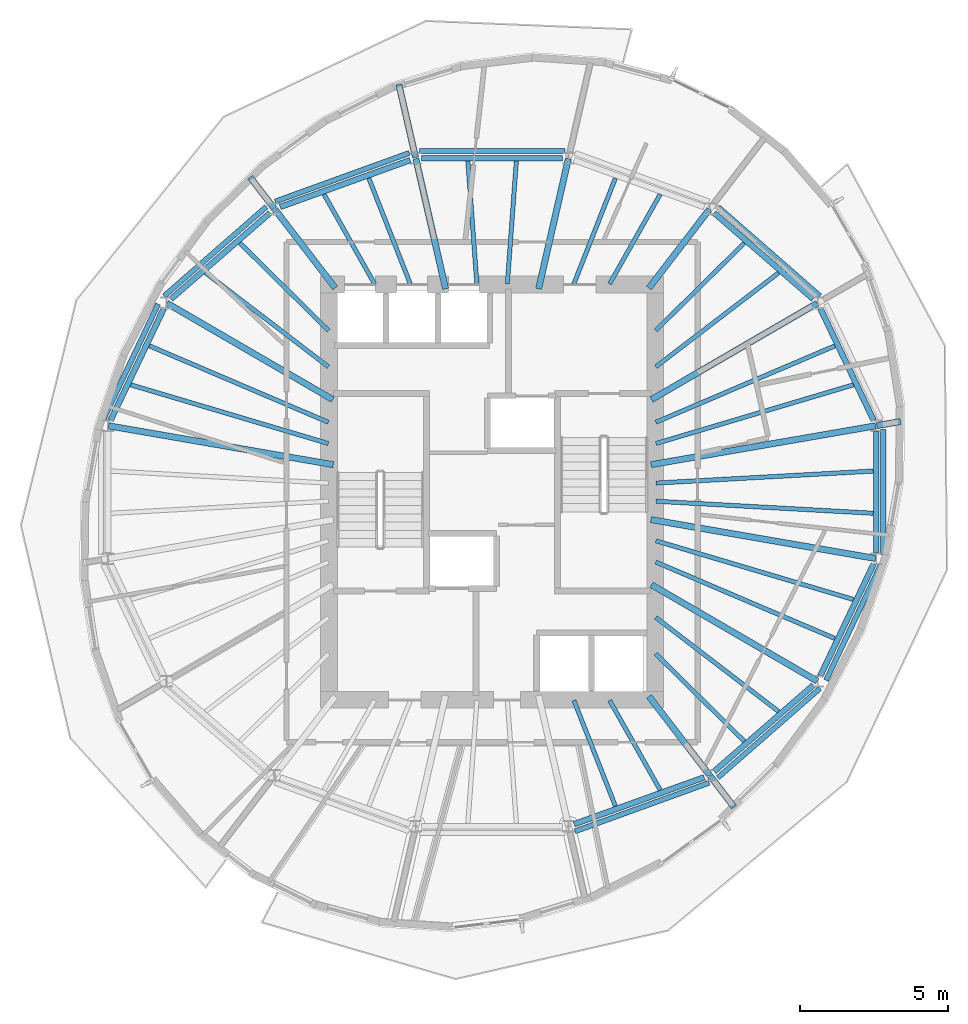
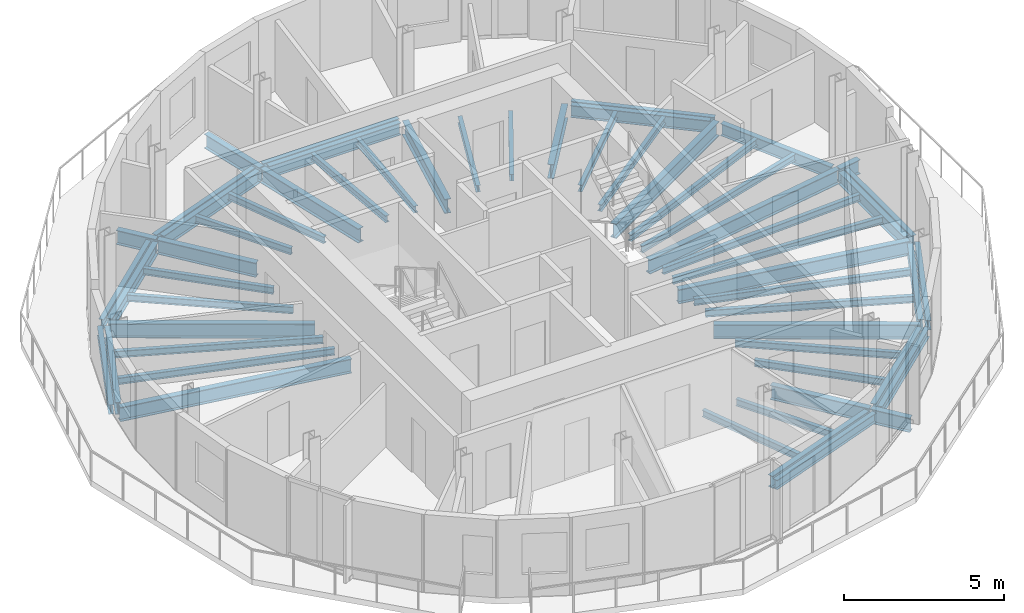
# One storey, part 2 of 9: 56 beams.
"""IFC4 building model written with IfcOpenShell, lengths in metres."""

from ifc_helpers import new_model, si_unit, direction, frame, origin, origin_2d, place, context, subcontext, project, spatial, i_section, extrude, material, material_profile, profile_set, type_object, element, save


model = new_model("IFC4")

# Units and contexts
model_context = context("Model", 3, precision=1e-05, world=origin(), true_north=direction((0.0, 1.0)))
body_context = subcontext(model_context, "Body", "Model", "MODEL_VIEW")
ifc_project = project(units=[si_unit("LENGTHUNIT", "METRE"), si_unit("AREAUNIT", "SQUARE_METRE"), si_unit("VOLUMEUNIT", "CUBIC_METRE"), si_unit("PLANEANGLEUNIT", "RADIAN"), si_unit("MASSUNIT", "GRAM", prefix="KILO")], contexts=[model_context])

# Site, building, storey
site_placement = place(None, origin())
site = spatial("IfcSite", under=ifc_project, at=site_placement, CompositionType="ELEMENT")
building_placement = place(site_placement, origin())
building = spatial("IfcBuilding", under=site, at=building_placement, Name="Veldorim Arch Residences", CompositionType="ELEMENT")
storey_placement = place(building_placement, frame((0.0, 0.0, 230.239990234375)))
storey = spatial("IfcBuildingStorey", under=building, at=storey_placement, Name="L69", CompositionType="ELEMENT", Elevation=230.239990234375)

# Beams
ifc_material_1 = material(Name="Steel S355", Category="steel")
ifc_material_profile_1 = material_profile(ifc_material_1, i_section(OverallWidth=0.2119140625, OverallDepth=0.54443359375, WebThickness=0.0126953125, FlangeThickness=0.021240234375, at=origin_2d()), Name="UB533x210x122")
ifc_profile_set_1 = profile_set([ifc_material_profile_1], Name="Steel S355")
beam_type_1 = type_object("IfcBeamType", Name="Structural Steel Beam UB533x210x122", PredefinedType="BEAM", material=ifc_profile_set_1)
beam_1_placement = place(storey_placement, frame((37.352294921875, 24.92578125, -0.51220703125), z_axis=(0.985364974081, 0.170457818401, 0.0), x_axis=(-0.170457818401, 0.985364974081, 0.0)))
element("IfcBeam", 1, at=beam_1_placement, inside=storey, type_object=beam_type_1, Name="L69 radial floor girder 01", PredefinedType="BEAM", context=body_context, shape_type="SweptSolid", body=[
    extrude(i_section(OverallWidth=0.2119140625, OverallDepth=0.54443359375, WebThickness=0.0126953125, FlangeThickness=0.021240234375, at=origin_2d()), origin(), (0.0, 0.0, 1.0), 7.68701171875),
])
beam_2_placement = place(storey_placement, frame((44.966064453125, 26.242919921875, -0.51220703125), z_axis=(0.985345661769, 0.170569419394, 0.0), x_axis=(-0.170569419394, 0.985345661769, 0.0)))
element("IfcBeam", 2, at=beam_2_placement, inside=storey, type_object=beam_type_1, Name="L69 radial edge cantilever girder 01", PredefinedType="BEAM", context=body_context, shape_type="SweptSolid", body=[
    extrude(i_section(OverallWidth=0.2119140625, OverallDepth=0.54443359375, WebThickness=0.0126953125, FlangeThickness=0.021240234375, at=origin_2d()), origin(), (0.0, 0.0, 1.0), 0.814453125),
])
beam_3_placement = place(storey_placement, frame((37.370361328125, 27.12060546875, -0.51220703125), z_axis=(0.864595736304, 0.502468121142, 0.0), x_axis=(-0.502468121142, 0.864595736304, 0.0)))
element("IfcBeam", 3, at=beam_3_placement, inside=storey, type_object=beam_type_1, Name="L69 radial floor girder 02", PredefinedType="BEAM", context=body_context, shape_type="SweptSolid", body=[
    extrude(i_section(OverallWidth=0.2119140625, OverallDepth=0.54443359375, WebThickness=0.0126953125, FlangeThickness=0.021240234375, at=origin_2d()), origin(), (0.0, 0.0, 1.0), 6.462646484375),
])
beam_4_placement = place(storey_placement, frame((37.28662109375, 30.881103515625, -0.51220703125), z_axis=(0.609258442308, 0.792971721108, 0.0), x_axis=(-0.792971721108, 0.609258442308, 0.0)))
element("IfcBeam", 4, at=beam_4_placement, inside=storey, type_object=beam_type_1, Name="L69 radial floor girder 03", PredefinedType="BEAM", context=body_context, shape_type="SweptSolid", body=[
    extrude(i_section(OverallWidth=0.2119140625, OverallDepth=0.54443359375, WebThickness=0.0126953125, FlangeThickness=0.021240234375, at=origin_2d()), origin(), (0.0, 0.0, 1.0), 3.339599609375),
])
for number, where, z_axis, x_axis, name in (
    (5, (33.567626953125, 30.853759765625, -0.51220703125), (0.222952976993, 0.97482920045, 0.0), (-0.97482920045, 0.222952976993, 0.0), "L69 radial floor girder 04"),
    (6, (30.432373046875, 30.853759765625, -0.51220703125), (-0.222952976993, 0.97482920045, 0.0), (-0.97482920045, -0.222952976993, 0.0), "L69 radial floor girder 05"),
):
    element("IfcBeam", number, at=place(storey_placement, frame(where, z_axis=z_axis, x_axis=x_axis)), inside=storey, type_object=beam_type_1, Name=name, PredefinedType="BEAM", context=body_context, shape_type="SweptSolid", body=[
        extrude(i_section(OverallWidth=0.2119140625, OverallDepth=0.54443359375, WebThickness=0.0126953125, FlangeThickness=0.021240234375, at=origin_2d()), origin(), (0.0, 0.0, 1.0), 4.49951171875),
    ])
beam_5_placement = place(storey_placement, frame((29.42041015625, 35.27880859375, -0.51220703125), z_axis=(-0.222961198563, 0.97482732006, 0.0), x_axis=(-0.97482732006, -0.222961198563, 0.0)))
element("IfcBeam", 7, at=beam_5_placement, inside=storey, type_object=beam_type_1, Name="L69 radial edge cantilever girder 05", PredefinedType="BEAM", context=body_context, shape_type="SweptSolid", body=[
    extrude(i_section(OverallWidth=0.2119140625, OverallDepth=0.54443359375, WebThickness=0.0126953125, FlangeThickness=0.021240234375, at=origin_2d()), origin(), (0.0, 0.0, 1.0), 2.52734375),
])
beam_6_placement = place(storey_placement, frame((26.71337890625, 30.881103515625, -0.51220703125), z_axis=(-0.609258442308, 0.792971721108, 0.0), x_axis=(-0.792971721108, -0.609258442308, 0.0)))
element("IfcBeam", 8, at=beam_6_placement, inside=storey, type_object=beam_type_1, Name="L69 radial floor girder 06", PredefinedType="BEAM", context=body_context, shape_type="SweptSolid", body=[
    extrude(i_section(OverallWidth=0.2119140625, OverallDepth=0.54443359375, WebThickness=0.0126953125, FlangeThickness=0.021240234375, at=origin_2d()), origin(), (0.0, 0.0, 1.0), 3.339599609375),
])
beam_7_placement = place(storey_placement, frame((24.654296875, 33.561279296875, -0.51220703125), z_axis=(-0.609258771795, 0.792971467955, 0.0), x_axis=(-0.792971467955, -0.609258771795, 0.0)))
element("IfcBeam", 9, at=beam_7_placement, inside=storey, type_object=beam_type_1, Name="L69 radial edge cantilever girder 06", PredefinedType="BEAM", context=body_context, shape_type="SweptSolid", body=[
    extrude(i_section(OverallWidth=0.2119140625, OverallDepth=0.54443359375, WebThickness=0.0126953125, FlangeThickness=0.021240234375, at=origin_2d()), origin(), (0.0, 0.0, 1.0), 1.33154296875),
])
beam_8_placement = place(storey_placement, frame((26.629638671875, 27.12060546875, -0.51220703125), z_axis=(-0.864595736304, 0.502468121142, 0.0), x_axis=(-0.502468121142, -0.864595736304, 0.0)))
element("IfcBeam", 10, at=beam_8_placement, inside=storey, type_object=beam_type_1, Name="L69 radial floor girder 07", PredefinedType="BEAM", context=body_context, shape_type="SweptSolid", body=[
    extrude(i_section(OverallWidth=0.2119140625, OverallDepth=0.54443359375, WebThickness=0.0126953125, FlangeThickness=0.021240234375, at=origin_2d()), origin(), (0.0, 0.0, 1.0), 6.462646484375),
])
beam_9_placement = place(storey_placement, frame((26.647705078125, 24.92578125, -0.51220703125), z_axis=(-0.985364974081, 0.170457818401, 0.0), x_axis=(-0.170457818401, -0.985364974081, 0.0)))
element("IfcBeam", 11, at=beam_9_placement, inside=storey, type_object=beam_type_1, Name="L69 radial floor girder 08", PredefinedType="BEAM", context=body_context, shape_type="SweptSolid", body=[
    extrude(i_section(OverallWidth=0.2119140625, OverallDepth=0.54443359375, WebThickness=0.0126953125, FlangeThickness=0.021240234375, at=origin_2d()), origin(), (0.0, 0.0, 1.0), 7.68701171875),
])
beam_10_placement = place(storey_placement, frame((37.28662109375, 17.118896484375, -0.51220703125), z_axis=(0.609258442308, -0.792971721108, 0.0), x_axis=(0.792971721108, 0.609258442308, 0.0)))
element("IfcBeam", 12, at=beam_10_placement, inside=storey, type_object=beam_type_1, Name="L69 radial floor girder 14", PredefinedType="BEAM", context=body_context, shape_type="SweptSolid", body=[
    extrude(i_section(OverallWidth=0.2119140625, OverallDepth=0.54443359375, WebThickness=0.0126953125, FlangeThickness=0.021240234375, at=origin_2d()), origin(), (0.0, 0.0, 1.0), 3.339599609375),
])
beam_11_placement = place(storey_placement, frame((39.345703125, 14.438720703125, -0.51220703125), z_axis=(0.609258771795, -0.792971467955, 0.0), x_axis=(0.792971467955, 0.609258771795, 0.0)))
element("IfcBeam", 13, at=beam_11_placement, inside=storey, type_object=beam_type_1, Name="L69 radial edge cantilever girder 14", PredefinedType="BEAM", context=body_context, shape_type="SweptSolid", body=[
    extrude(i_section(OverallWidth=0.2119140625, OverallDepth=0.54443359375, WebThickness=0.0126953125, FlangeThickness=0.021240234375, at=origin_2d()), origin(), (0.0, 0.0, 1.0), 1.33154296875),
])
beam_12_placement = place(storey_placement, frame((37.370361328125, 20.87939453125, -0.51220703125), z_axis=(0.864595736304, -0.502468121142, 0.0), x_axis=(0.502468121142, 0.864595736304, 0.0)))
element("IfcBeam", 14, at=beam_12_placement, inside=storey, type_object=beam_type_1, Name="L69 radial floor girder 15", PredefinedType="BEAM", context=body_context, shape_type="SweptSolid", body=[
    extrude(i_section(OverallWidth=0.2119140625, OverallDepth=0.54443359375, WebThickness=0.0126953125, FlangeThickness=0.021240234375, at=origin_2d()), origin(), (0.0, 0.0, 1.0), 6.462646484375),
])
beam_13_placement = place(storey_placement, frame((37.352294921875, 23.07421875, -0.51220703125), z_axis=(0.985364974081, -0.170457818401, 0.0), x_axis=(0.170457818401, 0.985364974081, 0.0)))
element("IfcBeam", 15, at=beam_13_placement, inside=storey, type_object=beam_type_1, Name="L69 radial floor girder 16", PredefinedType="BEAM", context=body_context, shape_type="SweptSolid", body=[
    extrude(i_section(OverallWidth=0.2119140625, OverallDepth=0.54443359375, WebThickness=0.0126953125, FlangeThickness=0.021240234375, at=origin_2d()), origin(), (0.0, 0.0, 1.0), 7.68701171875),
])
ifc_material_2 = material(Name="Steel S355", Category="steel")
ifc_material_profile_2 = material_profile(ifc_material_2, i_section(OverallWidth=0.146484375, OverallDepth=0.256103515625, WebThickness=0.00634765625, FlangeThickness=0.010986328125, at=origin_2d()), Name="UB254x146x37")
ifc_profile_set_2 = profile_set([ifc_material_profile_2], Name="Steel S355")
beam_type_2 = type_object("IfcBeamType", Name="Structural Steel Joist UB254x146x37", PredefinedType="JOIST", material=ifc_profile_set_2)
beam_14_placement = place(storey_placement, frame((37.519287109375, 25.639404296875, -0.367919921875), z_axis=(0.958594432792, 0.284774846889, 0.0), x_axis=(-0.284774846889, 0.958594432792, 0.0)))
element("IfcBeam", 16, at=beam_14_placement, inside=storey, type_object=beam_type_2, Name="L69 secondary radial floor joist 01-1", PredefinedType="JOIST", context=body_context, shape_type="SweptSolid", body=[
    extrude(i_section(OverallWidth=0.146484375, OverallDepth=0.256103515625, WebThickness=0.00634765625, FlangeThickness=0.010986328125, at=origin_2d()), origin(), (0.0, 0.0, 1.0), 6.949462890625),
])
beam_15_placement = place(storey_placement, frame((37.518310546875, 26.355712890625, -0.367919921875), z_axis=(0.919725161652, 0.392562895629, 0.0), x_axis=(-0.392562895629, 0.919725161652, 0.0)))
element("IfcBeam", 17, at=beam_15_placement, inside=storey, type_object=beam_type_2, Name="L69 secondary radial floor joist 01-2", PredefinedType="JOIST", context=body_context, shape_type="SweptSolid", body=[
    extrude(i_section(OverallWidth=0.146484375, OverallDepth=0.256103515625, WebThickness=0.00634765625, FlangeThickness=0.010986328125, at=origin_2d()), origin(), (0.0, 0.0, 1.0), 6.5625),
])
beam_16_placement = place(storey_placement, frame((37.515869140625, 28.222900390625, -0.367919921875), z_axis=(0.794013672216, 0.607899899929, 0.0), x_axis=(-0.607899899929, 0.794013672216, 0.0)))
element("IfcBeam", 18, at=beam_16_placement, inside=storey, type_object=beam_type_2, Name="L69 secondary radial floor joist 02-1", PredefinedType="JOIST", context=body_context, shape_type="SweptSolid", body=[
    extrude(i_section(OverallWidth=0.146484375, OverallDepth=0.256103515625, WebThickness=0.00634765625, FlangeThickness=0.010986328125, at=origin_2d()), origin(), (0.0, 0.0, 1.0), 5.217041015625),
])
beam_17_placement = place(storey_placement, frame((37.51416015625, 29.44775390625, -0.367919921875), z_axis=(0.711396725432, 0.702790650937, 0.0), x_axis=(-0.702790650937, 0.711396725432, 0.0)))
element("IfcBeam", 19, at=beam_17_placement, inside=storey, type_object=beam_type_2, Name="L69 secondary radial floor joist 02-2", PredefinedType="JOIST", context=body_context, shape_type="SweptSolid", body=[
    extrude(i_section(OverallWidth=0.146484375, OverallDepth=0.256103515625, WebThickness=0.00634765625, FlangeThickness=0.010986328125, at=origin_2d()), origin(), (0.0, 0.0, 1.0), 4.198486328125),
])
beam_18_placement = place(storey_placement, frame((35.960205078125, 31.017333984375, -0.367919921875), z_axis=(0.491452469585, 0.870904397818, 0.0), x_axis=(-0.870904397818, 0.491452469585, 0.0)))
element("IfcBeam", 20, at=beam_18_placement, inside=storey, type_object=beam_type_2, Name="L69 secondary radial floor joist 03-1", PredefinedType="JOIST", context=body_context, shape_type="SweptSolid", body=[
    extrude(i_section(OverallWidth=0.146484375, OverallDepth=0.256103515625, WebThickness=0.00634765625, FlangeThickness=0.010986328125, at=origin_2d()), origin(), (0.0, 0.0, 1.0), 3.472412109375),
])
beam_19_placement = place(storey_placement, frame((34.75634765625, 31.0185546875, -0.367919921875), z_axis=(0.365581383042, 0.930779379001, 0.0), x_axis=(-0.930779379001, 0.365581383042, 0.0)))
element("IfcBeam", 21, at=beam_19_placement, inside=storey, type_object=beam_type_2, Name="L69 secondary radial floor joist 03-2", PredefinedType="JOIST", context=body_context, shape_type="SweptSolid", body=[
    extrude(i_section(OverallWidth=0.146484375, OverallDepth=0.256103515625, WebThickness=0.00634765625, FlangeThickness=0.010986328125, at=origin_2d()), origin(), (0.0, 0.0, 1.0), 3.83056640625),
])
for number, where, z_axis, x_axis, name in (
    (22, (32.513916015625, 31.02001953125, -0.367919921875), (0.072985625899, 0.997332992742, 0.0), (-0.997332992742, 0.072985625899, 0.0), "L69 secondary radial floor joist 04-1"),
    (23, (31.486083984375, 31.02001953125, -0.367919921875), (-0.072985625899, 0.997332992742, 0.0), (-0.997332992742, -0.072985625899, 0.0), "L69 secondary radial floor joist 04-2"),
):
    element("IfcBeam", number, at=place(storey_placement, frame(where, z_axis=z_axis, x_axis=x_axis)), inside=storey, type_object=beam_type_2, Name=name, PredefinedType="JOIST", context=body_context, shape_type="SweptSolid", body=[
        extrude(i_section(OverallWidth=0.146484375, OverallDepth=0.256103515625, WebThickness=0.00634765625, FlangeThickness=0.010986328125, at=origin_2d()), origin(), (0.0, 0.0, 1.0), 4.151123046875),
    ])
beam_20_placement = place(storey_placement, frame((29.24365234375, 31.0185546875, -0.367919921875), z_axis=(-0.365581383042, 0.930779379001, 0.0), x_axis=(-0.930779379001, -0.365581383042, 0.0)))
element("IfcBeam", 24, at=beam_20_placement, inside=storey, type_object=beam_type_2, Name="L69 secondary radial floor joist 05-1", PredefinedType="JOIST", context=body_context, shape_type="SweptSolid", body=[
    extrude(i_section(OverallWidth=0.146484375, OverallDepth=0.256103515625, WebThickness=0.00634765625, FlangeThickness=0.010986328125, at=origin_2d()), origin(), (0.0, 0.0, 1.0), 3.83056640625),
])
beam_21_placement = place(storey_placement, frame((28.039794921875, 31.017333984375, -0.367919921875), z_axis=(-0.491452469585, 0.870904397818, 0.0), x_axis=(-0.870904397818, -0.491452469585, 0.0)))
element("IfcBeam", 25, at=beam_21_placement, inside=storey, type_object=beam_type_2, Name="L69 secondary radial floor joist 05-2", PredefinedType="JOIST", context=body_context, shape_type="SweptSolid", body=[
    extrude(i_section(OverallWidth=0.146484375, OverallDepth=0.256103515625, WebThickness=0.00634765625, FlangeThickness=0.010986328125, at=origin_2d()), origin(), (0.0, 0.0, 1.0), 3.472412109375),
])
beam_22_placement = place(storey_placement, frame((26.48583984375, 29.44775390625, -0.367919921875), z_axis=(-0.711396725432, 0.702790650937, 0.0), x_axis=(-0.702790650937, -0.711396725432, 0.0)))
element("IfcBeam", 26, at=beam_22_placement, inside=storey, type_object=beam_type_2, Name="L69 secondary radial floor joist 06-1", PredefinedType="JOIST", context=body_context, shape_type="SweptSolid", body=[
    extrude(i_section(OverallWidth=0.146484375, OverallDepth=0.256103515625, WebThickness=0.00634765625, FlangeThickness=0.010986328125, at=origin_2d()), origin(), (0.0, 0.0, 1.0), 4.198486328125),
])
beam_23_placement = place(storey_placement, frame((26.484130859375, 28.222900390625, -0.367919921875), z_axis=(-0.794013672216, 0.607899899929, 0.0), x_axis=(-0.607899899929, -0.794013672216, 0.0)))
element("IfcBeam", 27, at=beam_23_placement, inside=storey, type_object=beam_type_2, Name="L69 secondary radial floor joist 06-2", PredefinedType="JOIST", context=body_context, shape_type="SweptSolid", body=[
    extrude(i_section(OverallWidth=0.146484375, OverallDepth=0.256103515625, WebThickness=0.00634765625, FlangeThickness=0.010986328125, at=origin_2d()), origin(), (0.0, 0.0, 1.0), 5.217041015625),
])
beam_24_placement = place(storey_placement, frame((26.481689453125, 26.355712890625, -0.367919921875), z_axis=(-0.919725161652, 0.392562895629, 0.0), x_axis=(-0.392562895629, -0.919725161652, 0.0)))
element("IfcBeam", 28, at=beam_24_placement, inside=storey, type_object=beam_type_2, Name="L69 secondary radial floor joist 07-1", PredefinedType="JOIST", context=body_context, shape_type="SweptSolid", body=[
    extrude(i_section(OverallWidth=0.146484375, OverallDepth=0.256103515625, WebThickness=0.00634765625, FlangeThickness=0.010986328125, at=origin_2d()), origin(), (0.0, 0.0, 1.0), 6.5625),
])
beam_25_placement = place(storey_placement, frame((26.480712890625, 25.639404296875, -0.367919921875), z_axis=(-0.958594432792, 0.284774846889, 0.0), x_axis=(-0.284774846889, -0.958594432792, 0.0)))
element("IfcBeam", 29, at=beam_25_placement, inside=storey, type_object=beam_type_2, Name="L69 secondary radial floor joist 07-2", PredefinedType="JOIST", context=body_context, shape_type="SweptSolid", body=[
    extrude(i_section(OverallWidth=0.146484375, OverallDepth=0.256103515625, WebThickness=0.00634765625, FlangeThickness=0.010986328125, at=origin_2d()), origin(), (0.0, 0.0, 1.0), 6.949462890625),
])
beam_26_placement = place(storey_placement, frame((34.75634765625, 16.9814453125, -0.367919921875), z_axis=(0.365581383042, -0.930779379001, 0.0), x_axis=(0.930779379001, 0.365581383042, 0.0)))
element("IfcBeam", 30, at=beam_26_placement, inside=storey, type_object=beam_type_2, Name="L69 secondary radial floor joist 13-1", PredefinedType="JOIST", context=body_context, shape_type="SweptSolid", body=[
    extrude(i_section(OverallWidth=0.146484375, OverallDepth=0.256103515625, WebThickness=0.00634765625, FlangeThickness=0.010986328125, at=origin_2d()), origin(), (0.0, 0.0, 1.0), 3.83056640625),
])
beam_27_placement = place(storey_placement, frame((35.960205078125, 16.982666015625, -0.367919921875), z_axis=(0.491452469585, -0.870904397818, 0.0), x_axis=(0.870904397818, 0.491452469585, 0.0)))
element("IfcBeam", 31, at=beam_27_placement, inside=storey, type_object=beam_type_2, Name="L69 secondary radial floor joist 13-2", PredefinedType="JOIST", context=body_context, shape_type="SweptSolid", body=[
    extrude(i_section(OverallWidth=0.146484375, OverallDepth=0.256103515625, WebThickness=0.00634765625, FlangeThickness=0.010986328125, at=origin_2d()), origin(), (0.0, 0.0, 1.0), 3.472412109375),
])
beam_28_placement = place(storey_placement, frame((37.51416015625, 18.55224609375, -0.367919921875), z_axis=(0.711396725432, -0.702790650937, 0.0), x_axis=(0.702790650937, 0.711396725432, 0.0)))
element("IfcBeam", 32, at=beam_28_placement, inside=storey, type_object=beam_type_2, Name="L69 secondary radial floor joist 14-1", PredefinedType="JOIST", context=body_context, shape_type="SweptSolid", body=[
    extrude(i_section(OverallWidth=0.146484375, OverallDepth=0.256103515625, WebThickness=0.00634765625, FlangeThickness=0.010986328125, at=origin_2d()), origin(), (0.0, 0.0, 1.0), 4.198486328125),
])
beam_29_placement = place(storey_placement, frame((37.515869140625, 19.777099609375, -0.367919921875), z_axis=(0.794013672216, -0.607899899929, 0.0), x_axis=(0.607899899929, 0.794013672216, 0.0)))
element("IfcBeam", 33, at=beam_29_placement, inside=storey, type_object=beam_type_2, Name="L69 secondary radial floor joist 14-2", PredefinedType="JOIST", context=body_context, shape_type="SweptSolid", body=[
    extrude(i_section(OverallWidth=0.146484375, OverallDepth=0.256103515625, WebThickness=0.00634765625, FlangeThickness=0.010986328125, at=origin_2d()), origin(), (0.0, 0.0, 1.0), 5.217041015625),
])
beam_30_placement = place(storey_placement, frame((37.518310546875, 21.644287109375, -0.367919921875), z_axis=(0.919725161652, -0.392562895629, 0.0), x_axis=(0.392562895629, 0.919725161652, 0.0)))
element("IfcBeam", 34, at=beam_30_placement, inside=storey, type_object=beam_type_2, Name="L69 secondary radial floor joist 15-1", PredefinedType="JOIST", context=body_context, shape_type="SweptSolid", body=[
    extrude(i_section(OverallWidth=0.146484375, OverallDepth=0.256103515625, WebThickness=0.00634765625, FlangeThickness=0.010986328125, at=origin_2d()), origin(), (0.0, 0.0, 1.0), 6.5625),
])
beam_31_placement = place(storey_placement, frame((37.519287109375, 22.360595703125, -0.367919921875), z_axis=(0.958594432792, -0.284774846889, 0.0), x_axis=(0.284774846889, 0.958594432792, 0.0)))
element("IfcBeam", 35, at=beam_31_placement, inside=storey, type_object=beam_type_2, Name="L69 secondary radial floor joist 15-2", PredefinedType="JOIST", context=body_context, shape_type="SweptSolid", body=[
    extrude(i_section(OverallWidth=0.146484375, OverallDepth=0.256103515625, WebThickness=0.00634765625, FlangeThickness=0.010986328125, at=origin_2d()), origin(), (0.0, 0.0, 1.0), 6.949462890625),
])
for number, where, z_axis, x_axis, name in (
    (36, (37.52001953125, 23.6943359375, -0.367919921875), (0.998472000884, -0.055259962464, 0.0), (0.055259962464, 0.998472000884, 0.0), "L69 secondary radial floor joist 16-1"),
    (37, (37.52001953125, 24.3056640625, -0.367919921875), (0.998472000884, 0.055259962464, 0.0), (-0.055259962464, 0.998472000884, 0.0), "L69 secondary radial floor joist 16-2"),
):
    element("IfcBeam", number, at=place(storey_placement, frame(where, z_axis=z_axis, x_axis=x_axis)), inside=storey, type_object=beam_type_2, Name=name, PredefinedType="JOIST", context=body_context, shape_type="SweptSolid", body=[
        extrude(i_section(OverallWidth=0.146484375, OverallDepth=0.256103515625, WebThickness=0.00634765625, FlangeThickness=0.010986328125, at=origin_2d()), origin(), (0.0, 0.0, 1.0), 7.33837890625),
    ])
ifc_material_3 = material(Name="Steel S355", Category="steel")
ifc_material_profile_3 = material_profile(ifc_material_3, i_section(OverallWidth=0.172119140625, OverallDepth=0.35791015625, WebThickness=0.008056640625, FlangeThickness=0.012939453125, at=origin_2d()), Name="UB356x171x57")
ifc_profile_set_3 = profile_set([ifc_material_profile_3], Name="Steel S355")
beam_type_3 = type_object("IfcBeamType", Name="Structural Steel Spandrel UB356x171x57", PredefinedType="SPANDREL", material=ifc_profile_set_3)
beam_32_placement = place(storey_placement, frame((43.05078125, 30.614013671875, -0.43896484375), z_axis=(-0.752901089301, 0.658133686821, 0.0), x_axis=(-0.658133686821, -0.752901089301, 0.0)))
element("IfcBeam", 38, at=beam_32_placement, inside=storey, type_object=beam_type_3, Name="L69 perimeter chord spandrel beam 02", PredefinedType="SPANDREL", context=body_context, shape_type="SweptSolid", body=[
    extrude(i_section(OverallWidth=0.172119140625, OverallDepth=0.35791015625, WebThickness=0.008056640625, FlangeThickness=0.012939453125, at=origin_2d()), origin(), (0.0, 0.0, 1.0), 4.567626953125),
])
beam_33_placement = place(storey_placement, frame((34.453125, 35.493408203125, -0.43896484375), z_axis=(-1.0, 0.0, 0.0), x_axis=(0.0, -1.0, 0.0)))
element("IfcBeam", 39, at=beam_33_placement, inside=storey, type_object=beam_type_3, Name="L69 perimeter chord spandrel beam 04", PredefinedType="SPANDREL", context=body_context, shape_type="SweptSolid", body=[
    extrude(i_section(OverallWidth=0.172119140625, OverallDepth=0.35791015625, WebThickness=0.008056640625, FlangeThickness=0.012939453125, at=origin_2d()), origin(), (0.0, 0.0, 1.0), 4.90625),
])
beam_34_placement = place(storey_placement, frame((29.206298828125, 35.43359375, -0.43896484375), z_axis=(-0.940181197783, -0.340674794099, 0.0), x_axis=(0.340674794099, -0.940181197783, 0.0)))
element("IfcBeam", 40, at=beam_34_placement, inside=storey, type_object=beam_type_3, Name="L69 perimeter chord spandrel beam 05", PredefinedType="SPANDREL", context=body_context, shape_type="SweptSolid", body=[
    extrude(i_section(OverallWidth=0.172119140625, OverallDepth=0.35791015625, WebThickness=0.008056640625, FlangeThickness=0.012939453125, at=origin_2d()), origin(), (0.0, 0.0, 1.0), 4.80859375),
])
beam_35_placement = place(storey_placement, frame((24.38818359375, 33.6201171875, -0.43896484375), z_axis=(-0.752901089301, -0.658133686821, 0.0), x_axis=(0.658133686821, -0.752901089301, 0.0)))
element("IfcBeam", 41, at=beam_35_placement, inside=storey, type_object=beam_type_3, Name="L69 perimeter chord spandrel beam 06", PredefinedType="SPANDREL", context=body_context, shape_type="SweptSolid", body=[
    extrude(i_section(OverallWidth=0.172119140625, OverallDepth=0.35791015625, WebThickness=0.008056640625, FlangeThickness=0.012939453125, at=origin_2d()), origin(), (0.0, 0.0, 1.0), 4.567626953125),
])
beam_36_placement = place(storey_placement, frame((20.741943359375, 30.33984375, -0.43896484375), z_axis=(-0.428453398876, -0.903563879862, 0.0), x_axis=(0.903563879862, -0.428453398876, 0.0)))
element("IfcBeam", 42, at=beam_36_placement, inside=storey, type_object=beam_type_3, Name="L69 perimeter chord spandrel beam 07", PredefinedType="SPANDREL", context=body_context, shape_type="SweptSolid", body=[
    extrude(i_section(OverallWidth=0.172119140625, OverallDepth=0.35791015625, WebThickness=0.008056640625, FlangeThickness=0.012939453125, at=origin_2d()), origin(), (0.0, 0.0, 1.0), 4.31689453125),
])
beam_37_placement = place(storey_placement, frame((34.793701171875, 12.56640625, -0.43896484375), z_axis=(0.940181197783, 0.340674794099, 0.0), x_axis=(-0.340674794099, 0.940181197783, 0.0)))
element("IfcBeam", 43, at=beam_37_placement, inside=storey, type_object=beam_type_3, Name="L69 perimeter chord spandrel beam 13", PredefinedType="SPANDREL", context=body_context, shape_type="SweptSolid", body=[
    extrude(i_section(OverallWidth=0.172119140625, OverallDepth=0.35791015625, WebThickness=0.008056640625, FlangeThickness=0.012939453125, at=origin_2d()), origin(), (0.0, 0.0, 1.0), 4.80859375),
])
beam_38_placement = place(storey_placement, frame((39.61181640625, 14.3798828125, -0.43896484375), z_axis=(0.752901089301, 0.658133686821, 0.0), x_axis=(-0.658133686821, 0.752901089301, 0.0)))
element("IfcBeam", 44, at=beam_38_placement, inside=storey, type_object=beam_type_3, Name="L69 perimeter chord spandrel beam 14", PredefinedType="SPANDREL", context=body_context, shape_type="SweptSolid", body=[
    extrude(i_section(OverallWidth=0.172119140625, OverallDepth=0.35791015625, WebThickness=0.008056640625, FlangeThickness=0.012939453125, at=origin_2d()), origin(), (0.0, 0.0, 1.0), 4.567626953125),
])
beam_39_placement = place(storey_placement, frame((43.258056640625, 17.66015625, -0.43896484375), z_axis=(0.428453398876, 0.903563879862, 0.0), x_axis=(-0.903563879862, 0.428453398876, 0.0)))
element("IfcBeam", 45, at=beam_39_placement, inside=storey, type_object=beam_type_3, Name="L69 perimeter chord spandrel beam 15", PredefinedType="SPANDREL", context=body_context, shape_type="SweptSolid", body=[
    extrude(i_section(OverallWidth=0.172119140625, OverallDepth=0.35791015625, WebThickness=0.008056640625, FlangeThickness=0.012939453125, at=origin_2d()), origin(), (0.0, 0.0, 1.0), 4.31689453125),
])
beam_40_placement = place(storey_placement, frame((45.182861328125, 21.89501953125, -0.43896484375), z_axis=(0.0, 1.0, 0.0), x_axis=(-1.0, 0.0, 0.0)))
element("IfcBeam", 46, at=beam_40_placement, inside=storey, type_object=beam_type_3, Name="L69 perimeter chord spandrel beam 16", PredefinedType="SPANDREL", context=body_context, shape_type="SweptSolid", body=[
    extrude(i_section(OverallWidth=0.172119140625, OverallDepth=0.35791015625, WebThickness=0.008056640625, FlangeThickness=0.012939453125, at=origin_2d()), origin(), (0.0, 0.0, 1.0), 4.2099609375),
])
ifc_material_4 = material(Name="Steel S355", Category="steel")
ifc_material_profile_4 = material_profile(ifc_material_4, i_section(OverallWidth=0.19140625, OverallDepth=0.4599609375, WebThickness=0.010009765625, FlangeThickness=0.01611328125, at=origin_2d()), Name="UB457x191x82")
ifc_profile_set_4 = profile_set([ifc_material_profile_4], Name="Steel S355")
beam_type_4 = type_object("IfcBeamType", Name="Structural Steel Spandrel UB457x191x82", PredefinedType="SPANDREL", material=ifc_profile_set_4)
beam_41_placement = place(storey_placement, frame((44.860595703125, 26.419677734375, -0.469970703125), z_axis=(-0.42997887291, 0.902838949564, 0.0), x_axis=(-0.902838949564, -0.42997887291, 0.0)))
element("IfcBeam", 47, at=beam_41_placement, inside=storey, type_object=beam_type_4, Name="L69 perimeter ring tie beam 01", PredefinedType="SPANDREL", context=body_context, shape_type="SweptSolid", body=[
    extrude(i_section(OverallWidth=0.19140625, OverallDepth=0.4599609375, WebThickness=0.010009765625, FlangeThickness=0.01611328125, at=origin_2d()), origin(), (0.0, 0.0, 1.0), 4.1845703125),
])
beam_42_placement = place(storey_placement, frame((42.824951171875, 30.5087890625, -0.469970703125), z_axis=(-0.754578219063, 0.656210112171, 0.0), x_axis=(-0.656210112171, -0.754578219063, 0.0)))
element("IfcBeam", 48, at=beam_42_placement, inside=storey, type_object=beam_type_4, Name="L69 perimeter ring tie beam 02", PredefinedType="SPANDREL", context=body_context, shape_type="SweptSolid", body=[
    extrude(i_section(OverallWidth=0.19140625, OverallDepth=0.4599609375, WebThickness=0.010009765625, FlangeThickness=0.01611328125, at=origin_2d()), origin(), (0.0, 0.0, 1.0), 4.427734375),
])
beam_43_placement = place(storey_placement, frame((34.375732421875, 35.259521484375, -0.469970703125), z_axis=(-1.0, 0.0, 0.0), x_axis=(0.0, -1.0, 0.0)))
element("IfcBeam", 49, at=beam_43_placement, inside=storey, type_object=beam_type_4, Name="L69 perimeter ring tie beam 04", PredefinedType="SPANDREL", context=body_context, shape_type="SweptSolid", body=[
    extrude(i_section(OverallWidth=0.19140625, OverallDepth=0.4599609375, WebThickness=0.010009765625, FlangeThickness=0.01611328125, at=origin_2d()), origin(), (0.0, 0.0, 1.0), 4.75146484375),
])
beam_44_placement = place(storey_placement, frame((29.237060546875, 35.19189453125, -0.469970703125), z_axis=(-0.940799194754, -0.338964415757, 0.0), x_axis=(0.338964415757, -0.940799194754, 0.0)))
element("IfcBeam", 50, at=beam_44_placement, inside=storey, type_object=beam_type_4, Name="L69 perimeter ring tie beam 05", PredefinedType="SPANDREL", context=body_context, shape_type="SweptSolid", body=[
    extrude(i_section(OverallWidth=0.19140625, OverallDepth=0.4599609375, WebThickness=0.010009765625, FlangeThickness=0.01611328125, at=origin_2d()), origin(), (0.0, 0.0, 1.0), 4.65869140625),
])
beam_45_placement = place(storey_placement, frame((24.51611328125, 33.414306640625, -0.469970703125), z_axis=(-0.754578219063, -0.656210112171, 0.0), x_axis=(0.656210112171, -0.754578219063, 0.0)))
element("IfcBeam", 51, at=beam_45_placement, inside=storey, type_object=beam_type_4, Name="L69 perimeter ring tie beam 06", PredefinedType="SPANDREL", context=body_context, shape_type="SweptSolid", body=[
    extrude(i_section(OverallWidth=0.19140625, OverallDepth=0.4599609375, WebThickness=0.010009765625, FlangeThickness=0.01611328125, at=origin_2d()), origin(), (0.0, 0.0, 1.0), 4.427734375),
])
beam_46_placement = place(storey_placement, frame((20.938720703125, 30.19775390625, -0.469970703125), z_axis=(-0.42997887291, -0.902838949564, 0.0), x_axis=(0.902838949564, -0.42997887291, 0.0)))
element("IfcBeam", 52, at=beam_46_placement, inside=storey, type_object=beam_type_4, Name="L69 perimeter ring tie beam 07", PredefinedType="SPANDREL", context=body_context, shape_type="SweptSolid", body=[
    extrude(i_section(OverallWidth=0.19140625, OverallDepth=0.4599609375, WebThickness=0.010009765625, FlangeThickness=0.01611328125, at=origin_2d()), origin(), (0.0, 0.0, 1.0), 4.1845703125),
])
beam_47_placement = place(storey_placement, frame((34.762939453125, 12.80810546875, -0.469970703125), z_axis=(0.940799194754, 0.338964415757, 0.0), x_axis=(-0.338964415757, 0.940799194754, 0.0)))
element("IfcBeam", 53, at=beam_47_placement, inside=storey, type_object=beam_type_4, Name="L69 perimeter ring tie beam 13", PredefinedType="SPANDREL", context=body_context, shape_type="SweptSolid", body=[
    extrude(i_section(OverallWidth=0.19140625, OverallDepth=0.4599609375, WebThickness=0.010009765625, FlangeThickness=0.01611328125, at=origin_2d()), origin(), (0.0, 0.0, 1.0), 4.65869140625),
])
beam_48_placement = place(storey_placement, frame((39.48388671875, 14.585693359375, -0.469970703125), z_axis=(0.754578219063, 0.656210112171, 0.0), x_axis=(-0.656210112171, 0.754578219063, 0.0)))
element("IfcBeam", 54, at=beam_48_placement, inside=storey, type_object=beam_type_4, Name="L69 perimeter ring tie beam 14", PredefinedType="SPANDREL", context=body_context, shape_type="SweptSolid", body=[
    extrude(i_section(OverallWidth=0.19140625, OverallDepth=0.4599609375, WebThickness=0.010009765625, FlangeThickness=0.01611328125, at=origin_2d()), origin(), (0.0, 0.0, 1.0), 4.427734375),
])
beam_49_placement = place(storey_placement, frame((43.061279296875, 17.80224609375, -0.469970703125), z_axis=(0.42997887291, 0.902838949564, 0.0), x_axis=(-0.902838949564, 0.42997887291, 0.0)))
element("IfcBeam", 55, at=beam_49_placement, inside=storey, type_object=beam_type_4, Name="L69 perimeter ring tie beam 15", PredefinedType="SPANDREL", context=body_context, shape_type="SweptSolid", body=[
    extrude(i_section(OverallWidth=0.19140625, OverallDepth=0.4599609375, WebThickness=0.010009765625, FlangeThickness=0.01611328125, at=origin_2d()), origin(), (0.0, 0.0, 1.0), 4.1845703125),
])
beam_50_placement = place(storey_placement, frame((44.9462890625, 21.9599609375, -0.469970703125), z_axis=(0.0, 1.0, 0.0), x_axis=(-1.0, 0.0, 0.0)))
element("IfcBeam", 56, at=beam_50_placement, inside=storey, type_object=beam_type_4, Name="L69 perimeter ring tie beam 16", PredefinedType="SPANDREL", context=body_context, shape_type="SweptSolid", body=[
    extrude(i_section(OverallWidth=0.19140625, OverallDepth=0.4599609375, WebThickness=0.010009765625, FlangeThickness=0.01611328125, at=origin_2d()), origin(), (0.0, 0.0, 1.0), 4.080078125),
])

save(model, "model.ifc")
